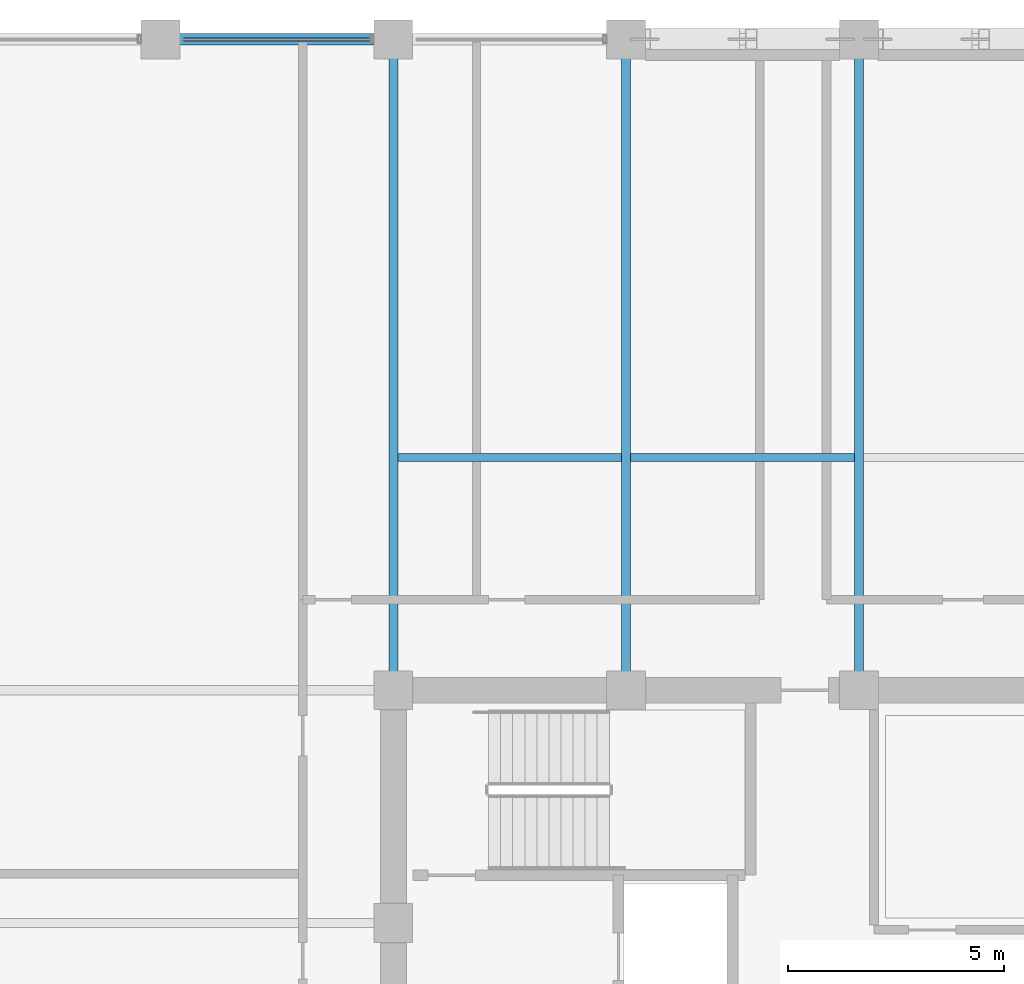
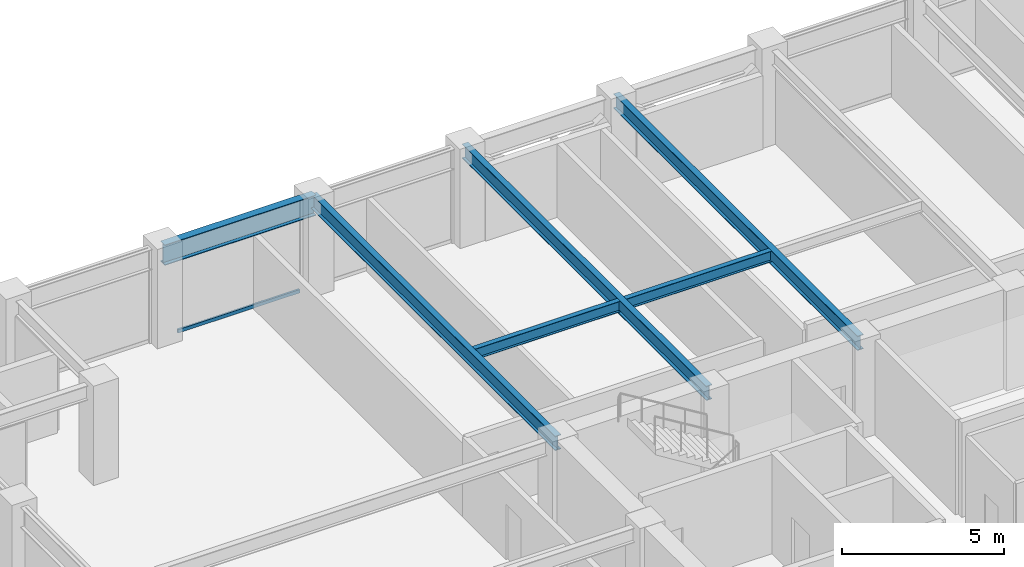
# One storey, part 16 of 28: 6 beams, 1 member, 1 element without a shape of its own.
"""IFC4 building model written with IfcOpenShell, lengths in metres."""

import ifcopenshell
import ifcopenshell.guid

model = None  # the IFC model being written
_history = None  # IfcOwnerHistory: only IFC2X3 demands one
_inside = {}  # id of a spatial element -> (the spatial element, [elements in it])
_under = {}  # id of a project, library or spatial element -> (it, [spatial elements below it])
_declared = {}  # id of a project -> (the project, [libraries it declares])
_typed = {}  # id of a type object -> (the type object, [elements of that type])
_made_of = {}  # id of a material, layer set ... -> (it, [elements and type objects made of it])


def new_model(schema):
    """Start an empty IFC model of exactly this schema.

    Asked for "IFC4X3", IfcOpenShell would pick the latest addendum, in which some entities
    have other attributes; the version numbers below select the first issue.
    IFC2X3 requires an IfcOwnerHistory on every rooted entity: one is made here for all.
    """
    global model, _history
    if schema == "IFC4X3":
        model = ifcopenshell.file(schema_version=(4, 3, 0, 0))
    else:
        model = ifcopenshell.file(schema=schema)
    _inside.clear()
    _under.clear()
    _declared.clear()
    _typed.clear()
    _made_of.clear()
    _history = None
    if model.schema == "IFC2X3":
        org = make("IfcOrganization", Name="unknown")
        user = make(
            "IfcPersonAndOrganization",
            ThePerson=make("IfcPerson", FamilyName="unknown"),
            TheOrganization=org,
        )
        app = make(
            "IfcApplication",
            ApplicationDeveloper=org,
            Version="unknown",
            ApplicationFullName="unknown",
            ApplicationIdentifier="unknown",
        )
        _history = make(
            "IfcOwnerHistory",
            OwningUser=user,
            OwningApplication=app,
            ChangeAction="ADDED",
            CreationDate=0,
        )
    return model


def make(cls, **values):
    """One entity of the class cls with the attributes given. An attribute that is None is left unset."""
    return model.create_entity(
        cls, **{name: value for name, value in values.items() if value is not None}
    )


def rooted(cls, **values):
    """An entity with a GlobalId (a new one), such as an element, a storey or a relation."""
    return make(cls, GlobalId=ifcopenshell.guid.new(), OwnerHistory=_history, **values)


def si_unit(unit_type, name, prefix=None):
    """IfcSIUnit, for example si_unit("LENGTHUNIT", "METRE", prefix="MILLI")."""
    return make("IfcSIUnit", UnitType=unit_type, Prefix=prefix, Name=name)


def assignment(units):
    """IfcUnitAssignment: the units of a project."""
    return None if units is None else make("IfcUnitAssignment", Units=units)


def point(xyz):
    """IfcCartesianPoint."""
    return None if xyz is None else make("IfcCartesianPoint", Coordinates=xyz)


def direction(xyz):
    """IfcDirection."""
    return None if xyz is None else make("IfcDirection", DirectionRatios=xyz)


def frame(location, z_axis=None, x_axis=None):
    """IfcAxis2Placement3D, a coordinate frame: its origin and axes. An axis left out is left unset."""
    return make(
        "IfcAxis2Placement3D",
        Location=point(location),
        Axis=direction(z_axis),
        RefDirection=direction(x_axis),
    )


def frame_2d(location, x_axis=None):
    """IfcAxis2Placement2D, a coordinate frame in the plane: its origin and x axis."""
    return make(
        "IfcAxis2Placement2D", Location=point(location), RefDirection=direction(x_axis)
    )


def origin():
    """The frame at (0, 0, 0) with its axes left unset."""
    return frame((0.0, 0.0, 0.0))


def origin_2d():
    """The frame at (0, 0) in the plane with its x axis left unset."""
    return frame_2d((0.0, 0.0))


def place(relative_to, where):
    """IfcLocalPlacement: puts the frame where relative to a parent placement (None: the world)."""
    return make(
        "IfcLocalPlacement", PlacementRelTo=relative_to, RelativePlacement=where
    )


def context(
    kind, dimensions, precision=None, world=None, true_north=None, identifier=None
):
    """IfcGeometricRepresentationContext, for example the 3D "Model" context."""
    return make(
        "IfcGeometricRepresentationContext",
        ContextIdentifier=identifier,
        ContextType=kind,
        CoordinateSpaceDimension=dimensions,
        Precision=precision,
        WorldCoordinateSystem=world,
        TrueNorth=true_north,
    )


def subcontext(parent, identifier, kind, view, scale=None):
    """IfcGeometricRepresentationSubContext, for example "Body" below "Model"."""
    return make(
        "IfcGeometricRepresentationSubContext",
        ContextIdentifier=identifier,
        ContextType=kind,
        ParentContext=parent,
        TargetScale=scale,
        TargetView=view,
    )


def project(units=None, contexts=None):
    """IfcProject with its units and contexts."""
    return rooted(
        "IfcProject",
        Name="project",
        RepresentationContexts=contexts,
        UnitsInContext=assignment(units),
    )


def spatial(cls, under=None, at=None, **own):
    """A site, building, storey or space (cls), placed at a placement, below another one or the project."""
    s = rooted(cls, ObjectPlacement=at, **own)
    if under is not None:
        _under.setdefault(under.id(), (under, []))[1].append(s)
    return s


def profile(cls, at=None, kind="AREA", **sizes):
    """A parametric profile (cls). Its sizes go by their IFC names, for example OverallWidth=200.0."""
    return make(cls, ProfileType=kind, Position=at, **sizes)


def hollow_rectangle(**sizes):
    """IfcRectangleHollowProfileDef."""
    return profile("IfcRectangleHollowProfileDef", **sizes)


def i_section(**sizes):
    """IfcIShapeProfileDef."""
    return profile("IfcIShapeProfileDef", **sizes)


def extrude(swept, where, along, depth):
    """IfcExtrudedAreaSolid: the profile swept, set in the frame where, extruded along a direction by depth."""
    return make(
        "IfcExtrudedAreaSolid",
        SweptArea=swept,
        Position=where,
        ExtrudedDirection=direction(along),
        Depth=depth,
    )


def shape(context_of_items, identifier, shape_type, items):
    """IfcShapeRepresentation: the items that make up one representation, for example the "Body"."""
    return make(
        "IfcShapeRepresentation",
        ContextOfItems=context_of_items,
        RepresentationIdentifier=identifier,
        RepresentationType=shape_type,
        Items=items,
    )


def material(Name=None, Category=None):
    """IfcMaterial."""
    return make("IfcMaterial", Name=Name, Category=Category)


def layer(
    of_material, thickness, ventilated=None, Name=None, Category=None, Priority=None
):
    """IfcMaterialLayer: one layer of a wall or slab, of a material (None: an air gap)."""
    return make(
        "IfcMaterialLayer",
        Material=of_material,
        LayerThickness=thickness,
        IsVentilated=ventilated,
        Name=Name,
        Category=Category,
        Priority=Priority,
    )


def layer_set(layers, Name=None):
    """IfcMaterialLayerSet."""
    return make("IfcMaterialLayerSet", MaterialLayers=layers, LayerSetName=Name)


def material_profile(
    of_material, cross_section, Name=None, Category=None, Priority=None
):
    """IfcMaterialProfile: a cross section and its material."""
    return make(
        "IfcMaterialProfile",
        Name=Name,
        Material=of_material,
        Profile=cross_section,
        Priority=Priority,
        Category=Category,
    )


def profile_set(profiles, Name=None, composite=None):
    """IfcMaterialProfileSet."""
    return make(
        "IfcMaterialProfileSet",
        Name=Name,
        MaterialProfiles=profiles,
        CompositeProfile=composite,
    )


def made_of(thing, what):
    """Note that an element or type object is made of a material, layer set ...; save() writes the relation."""
    if what is not None:
        _made_of.setdefault(what.id(), (what, []))[1].append(thing)
    return thing


def type_object(cls, material=None, **own):
    """A type object (cls), such as IfcWallType, which elements share."""
    return made_of(rooted(cls, **own), material)


def element(
    cls,
    number,
    at=None,
    inside=None,
    cuts=None,
    type_object=None,
    material=None,
    context=None,
    identifier="Body",
    shape_type=None,
    held_by="IfcProductDefinitionShape",
    body=None,
    shapes=None,
    **own,
):
    """One element of the class cls, such as IfcWall. Its Tag is "e" and its number.

    at: its placement. inside: the storey or other place that contains it. cuts: it is an
    opening in that element (IfcRelVoidsElement). A single representation is given by context,
    identifier, shape_type and body (its items); several are given by shapes. held_by: the class
    of the entity that holds the representations. save() writes the other relations.
    """
    e = rooted(cls, Tag="e%d" % number, ObjectPlacement=at, **own)
    if body is not None:
        shapes = [shape(context, identifier, shape_type, body)]
    if shapes is not None:
        e.Representation = make(held_by, Representations=shapes)
    if inside is not None:
        _inside.setdefault(inside.id(), (inside, []))[1].append(e)
    if cuts is not None:
        rooted(
            "IfcRelVoidsElement", RelatingBuildingElement=cuts, RelatedOpeningElement=e
        )
    if type_object is not None:
        _typed.setdefault(type_object.id(), (type_object, []))[1].append(e)
    return made_of(e, material)


def aggregate(whole, parts):
    """IfcRelAggregates: a whole, such as a stair, and the parts it consists of."""
    return rooted("IfcRelAggregates", RelatingObject=whole, RelatedObjects=parts)


def save(model, path):
    """Write the relations noted so far, then the file.

    IfcRelAggregates (storeys below a building ...), IfcRelContainedInSpatialStructure (elements
    in a storey), IfcRelDefinesByType, IfcRelAssociatesMaterial and IfcRelDeclares: one each for
    every whole, place, type object, material and project.
    """
    for whole, parts in _under.values():
        aggregate(whole, parts)
    for where, things in _inside.values():
        rooted(
            "IfcRelContainedInSpatialStructure",
            RelatedElements=things,
            RelatingStructure=where,
        )
    for kind, things in _typed.values():
        rooted("IfcRelDefinesByType", RelatedObjects=things, RelatingType=kind)
    for what, things in _made_of.values():
        rooted("IfcRelAssociatesMaterial", RelatedObjects=things, RelatingMaterial=what)
    for by, libraries in _declared.values():
        rooted("IfcRelDeclares", RelatingContext=by, RelatedDefinitions=libraries)
    model.write(path)


model = new_model("IFC4")

# Units and contexts
model_context = context("Model", 3, precision=1e-05, world=origin(), true_north=direction((0.0, 1.0)))
body_context = subcontext(model_context, "Body", "Model", "MODEL_VIEW")
ifc_project = project(units=[si_unit("LENGTHUNIT", "METRE"), si_unit("AREAUNIT", "SQUARE_METRE"), si_unit("VOLUMEUNIT", "CUBIC_METRE"), si_unit("PLANEANGLEUNIT", "RADIAN"), si_unit("MASSUNIT", "GRAM", prefix="KILO")], contexts=[model_context])

# Site, building, storey
site_placement = place(None, origin())
site = spatial("IfcSite", under=ifc_project, at=site_placement, CompositionType="ELEMENT")
building_placement = place(site_placement, origin())
building = spatial("IfcBuilding", under=site, at=building_placement, Name="Surkhivell Harbour Commons", CompositionType="ELEMENT")
storey_placement = place(building_placement, frame((0.0, 0.0, 178.5)))
storey = spatial("IfcBuildingStorey", under=building, at=storey_placement, Name="L46", CompositionType="ELEMENT", Elevation=178.5)

# Beams
ifc_material_1 = material(Name="Steel S355", Category="steel")
ifc_material_profile_1 = material_profile(ifc_material_1, i_section(OverallWidth=0.2119140625, OverallDepth=0.5439453125, WebThickness=0.0126953125, FlangeThickness=0.021240234375, at=origin_2d()), Name="UB533x210x122")
ifc_profile_set_1 = profile_set([ifc_material_profile_1], Name="Steel S355")
beam_type_1 = type_object("IfcBeamType", Name="BM-GRD-533A", PredefinedType="BEAM", material=ifc_profile_set_1)
for number, where, z_axis, x_axis, name in (
    (1, (-10.800048828125, 10.800048828125, 3.298095703125), (0.0, 1.0, 0.0), (-1.0, 0.0, 0.0), "L46 Floor Girder (-10.8,10.8)"),
    (2, (-5.39990234375, 10.800048828125, 3.298095703125), (0.0, 1.0, 0.0), (-1.0, 0.0, 0.0), "L46 Floor Girder (-5.4,10.8)"),
    (3, (0.0, 10.800048828125, 3.298095703125), (0.0, 1.0, 0.0), (-1.0, 0.0, 0.0), "L46 Floor Girder (0.0,10.8)"),
):
    element("IfcBeam", number, at=place(storey_placement, frame(where, z_axis=z_axis, x_axis=x_axis)), inside=storey, type_object=beam_type_1, Name=name, PredefinedType="BEAM", context=body_context, shape_type="SweptSolid", body=[
        extrude(i_section(OverallWidth=0.2119140625, OverallDepth=0.5439453125, WebThickness=0.0126953125, FlangeThickness=0.021240234375, at=origin_2d()), origin(), (0.0, 0.0, 1.0), 15.099853515625),
    ])
ifc_material_profile_2 = material_profile(ifc_material_1, i_section(OverallWidth=0.178955078125, OverallDepth=0.408935546875, WebThickness=0.0087890625, FlangeThickness=0.014404296875, at=origin_2d()), Name="UB406x178x67")
ifc_profile_set_2 = profile_set([ifc_material_profile_2], Name="Steel S355")
beam_type_2 = type_object("IfcBeamType", Name="BM-JST-406", PredefinedType="JOIST", material=ifc_profile_set_2)
beam_1_placement = place(storey_placement, frame((-10.696044921875, 16.199951171875, 3.365478515625), z_axis=(1.0, 0.0, 0.0), x_axis=(0.0, 1.0, 0.0)))
element("IfcBeam", 4, at=beam_1_placement, inside=storey, type_object=beam_type_2, Name="L46 North Composite Joist (-10.8)", PredefinedType="JOIST", context=body_context, shape_type="SweptSolid", body=[
    extrude(i_section(OverallWidth=0.178955078125, OverallDepth=0.408935546875, WebThickness=0.0087890625, FlangeThickness=0.014404296875, at=origin_2d()), origin(), (0.0, 0.0, 1.0), 5.192138671875),
])
beam_2_placement = place(storey_placement, frame((-5.2958984375, 16.199951171875, 3.365478515625), z_axis=(1.0, 0.0, 0.0), x_axis=(0.0, 1.0, 0.0)))
element("IfcBeam", 5, at=beam_2_placement, inside=storey, type_object=beam_type_2, Name="L46 North Composite Joist (-5.4)", PredefinedType="JOIST", context=body_context, shape_type="SweptSolid", body=[
    extrude(i_section(OverallWidth=0.178955078125, OverallDepth=0.408935546875, WebThickness=0.0087890625, FlangeThickness=0.014404296875, at=origin_2d()), origin(), (0.0, 0.0, 1.0), 5.19189453125),
])
ifc_material_profile_3 = material_profile(ifc_material_1, i_section(OverallWidth=0.26806640625, OverallDepth=0.77001953125, WebThickness=0.015625, FlangeThickness=0.025390625, at=origin_2d()), Name="UB762x267x197")
ifc_profile_set_3 = profile_set([ifc_material_profile_3], Name="Steel S355")
beam_type_3 = type_object("IfcBeamType", Name="BM-SPN-762", PredefinedType="SPANDREL", material=ifc_profile_set_3)
beam_3_placement = place(storey_placement, frame((-16.199951171875, 25.89990234375, 3.18505859375), z_axis=(1.0, 0.0, 0.0), x_axis=(0.0, 1.0, 0.0)))
element("IfcBeam", 6, at=beam_3_placement, inside=storey, type_object=beam_type_3, Name="L46 Tube Spandrel (-16.2,25.9)", PredefinedType="SPANDREL", context=body_context, shape_type="SweptSolid", body=[
    extrude(i_section(OverallWidth=0.26806640625, OverallDepth=0.77001953125, WebThickness=0.015625, FlangeThickness=0.025390625, at=origin_2d()), origin(), (0.0, 0.0, 1.0), 5.39990234375),
])

# Curtain wall, member
ifc_material_2 = material(Name="Anodised pale-metal aluminium and insulated glazing", Category="aluminium")
ifc_layer = layer(ifc_material_2, 0.18994140625)
ifc_layer_set = layer_set([ifc_layer], Name="Anodised pale-metal aluminium and insulated glazing")
curtain_wall_type = type_object("IfcCurtainWallType", Name="CW-SYS-Z3", PredefinedType="NOTDEFINED", material=ifc_layer_set)
curtain_wall_placement = place(storey_placement, origin())
curtain_wall = element("IfcCurtainWall", 7, at=curtain_wall_placement, inside=storey, type_object=curtain_wall_type, Name="L46 Curtain Wall CW-L46-E07S2", PredefinedType="NOTDEFINED")
ifc_material_3 = material(Name="Champagne anodised aluminium alloy 6063-T6", Category="aluminium")
ifc_material_profile_4 = material_profile(ifc_material_3, hollow_rectangle(XDim=0.070068359375, YDim=0.1298828125, WallThickness=0.00341796875, at=origin_2d()), Name="ALU-TRAN-70x130")
ifc_profile_set_4 = profile_set([ifc_material_profile_4], Name="Champagne anodised aluminium alloy 6063-T6")
member_type = type_object("IfcMemberType", Name="CWT-130", PredefinedType="USERDEFINED", material=ifc_profile_set_4)
member_placement = place(storey_placement, frame((-11.326904296875, 25.89990234375, 0.06494140625), z_axis=(-1.0, 0.0, 0.0), x_axis=(0.0, -1.0, 0.0)))
member = element("IfcMember", 8, at=member_placement, type_object=member_type, Name="CW-Z3 transom 2.1", ObjectType="TRANSOM", PredefinedType="USERDEFINED", context=body_context, shape_type="SweptSolid", body=[
    extrude(hollow_rectangle(XDim=0.070068359375, YDim=0.1298828125, WallThickness=0.00341796875, at=origin_2d()), origin(), (0.0, 0.0, 1.0), 4.34619140625),
])
aggregate(curtain_wall, [member])

save(model, "model.ifc")
